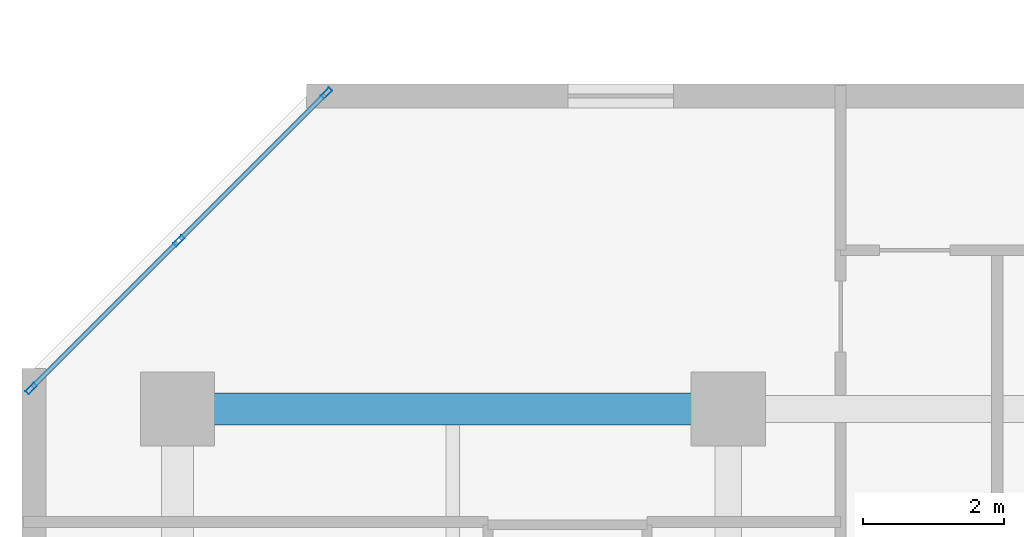
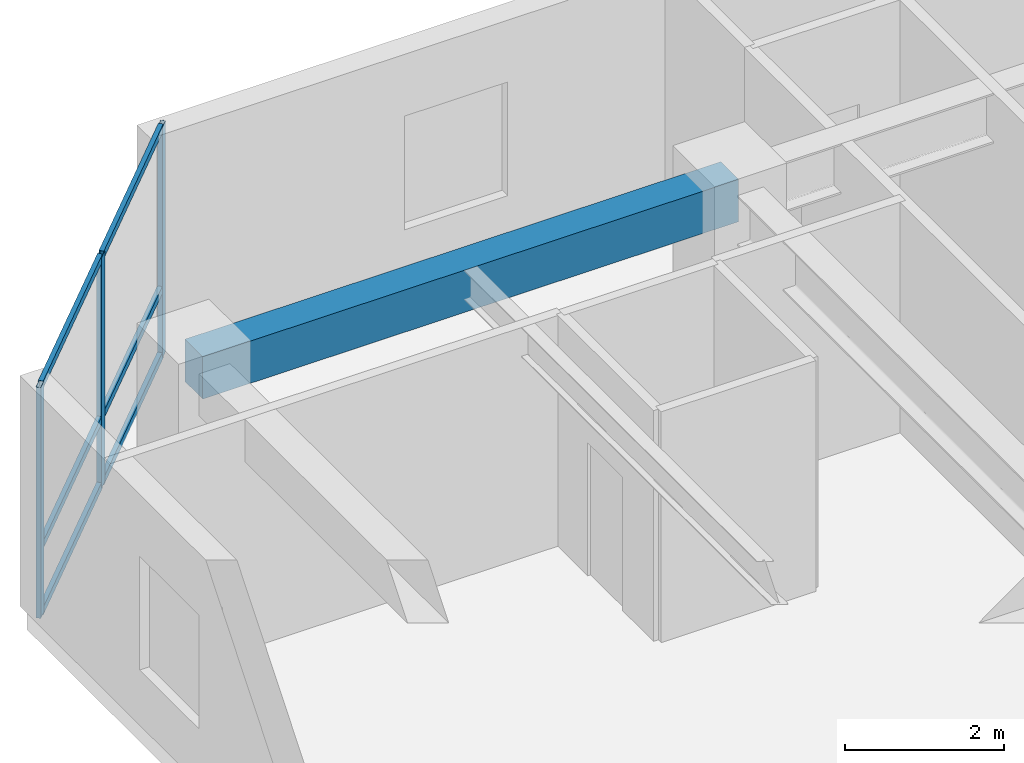
# One storey, part 3 of 11: 9 members, 1 beam, 1 element without a shape of its own.
"""IFC4 building model written with IfcOpenShell, lengths in metres."""

from ifc_helpers import new_model, si_unit, direction, frame, origin, origin_2d, place, context, subcontext, project, spatial, rectangle, hollow_rectangle, extrude, material, layer, layer_set, material_profile, profile_set, type_object, element, aggregate, save


model = new_model("IFC4")

# Units and contexts
model_context = context("Model", 3, precision=1e-05, world=origin(), true_north=direction((0.0, 1.0)))
body_context = subcontext(model_context, "Body", "Model", "MODEL_VIEW")
ifc_project = project(units=[si_unit("LENGTHUNIT", "METRE"), si_unit("AREAUNIT", "SQUARE_METRE"), si_unit("VOLUMEUNIT", "CUBIC_METRE"), si_unit("PLANEANGLEUNIT", "RADIAN"), si_unit("MASSUNIT", "GRAM", prefix="KILO")], contexts=[model_context])

# Site, building, storey
site_placement = place(None, origin())
site = spatial("IfcSite", under=ifc_project, at=site_placement, CompositionType="ELEMENT")
building_placement = place(site_placement, origin())
building = spatial("IfcBuilding", under=site, at=building_placement, Name="Kestravale Grand Hotel", CompositionType="ELEMENT")
storey_placement = place(building_placement, frame((0.0, 0.0, 161.199951171875)))
storey = spatial("IfcBuildingStorey", under=building, at=storey_placement, Name="L40", CompositionType="ELEMENT", Elevation=161.199951171875)

# Beam
ifc_material_1 = material(Name="Concrete f'c 45 MPa", Category="concrete")
ifc_material_profile_1 = material_profile(ifc_material_1, rectangle(XDim=0.449951171875, YDim=0.64990234375, at=origin_2d()))
ifc_profile_set_1 = profile_set([ifc_material_profile_1], Name="Concrete f'c 45 MPa")
beam_type = type_object("IfcBeamType", Name="B-FLR-RC650", PredefinedType="SPANDREL", material=ifc_profile_set_1)
beam_placement = place(storey_placement, frame((7.800048828125, 38.39990234375, 3.22509765625), z_axis=(1.0, 0.0, 0.0), x_axis=(0.0, 1.0, 0.0)))
element("IfcBeam", 1, at=beam_placement, inside=storey, type_object=beam_type, Name="L40 spandrel F:2-3", PredefinedType="SPANDREL", context=body_context, shape_type="SweptSolid", body=[
    extrude(rectangle(XDim=0.449951171875, YDim=0.64990234375, at=origin_2d()), origin(), (0.0, 0.0, 1.0), 7.800048828125),
])

# Curtain wall, members
ifc_material_2 = material(Name="Thermally broken champagne-bronze aluminium and low-E glazing", Category="aluminium")
ifc_layer = layer(ifc_material_2, 0.179931640625)
ifc_layer_set = layer_set([ifc_layer], Name="CW-Z3")
curtain_wall_type = type_object("IfcCurtainWallType", Name="CW-Z3", PredefinedType="NOTDEFINED", material=ifc_layer_set)
curtain_wall_placement = place(storey_placement, origin())
curtain_wall = element("IfcCurtainWall", 2, at=curtain_wall_placement, inside=storey, type_object=curtain_wall_type, Name="L40 unitised curtain wall 18", PredefinedType="NOTDEFINED")
ifc_material_3 = material(Name="Aluminium 6063-T6 anodised", Category="aluminium")
ifc_material_profile_2 = material_profile(ifc_material_3, hollow_rectangle(XDim=0.06494140625, YDim=0.1650390625, WallThickness=0.00341796875, at=origin_2d()))
ifc_profile_set_2 = profile_set([ifc_material_profile_2], Name="Aluminium 6063-T6 anodised")
member_type_1 = type_object("IfcMemberType", Name="CW-MUL-165", PredefinedType="MULLION", material=ifc_profile_set_2)
member_1_placement = place(storey_placement, frame((9.911376953125, 42.87109375, 0.0), z_axis=(0.0, 0.0, 1.0), x_axis=(0.707106781187, -0.707106781187, 0.0)))
member_1 = element("IfcMember", 3, at=member_1_placement, type_object=member_type_1, Name="CW-Z3 mullion 1", PredefinedType="MULLION", context=body_context, shape_type="SweptSolid", body=[
    extrude(hollow_rectangle(XDim=0.06494140625, YDim=0.1650390625, WallThickness=0.00341796875, at=origin_2d()), origin(), (0.0, 0.0, 1.0), 3.550048828125),
])
member_2_placement = place(storey_placement, frame((7.8203125, 40.77978515625, 0.0), z_axis=(0.0, 0.0, 1.0), x_axis=(0.707106781187, -0.707106781187, 0.0)))
member_2 = element("IfcMember", 4, at=member_2_placement, type_object=member_type_1, Name="CW-Z3 mullion 2", PredefinedType="MULLION", context=body_context, shape_type="SweptSolid", body=[
    extrude(hollow_rectangle(XDim=0.06494140625, YDim=0.1650390625, WallThickness=0.00341796875, at=origin_2d()), origin(), (0.0, 0.0, 1.0), 3.550048828125),
])
member_3_placement = place(storey_placement, frame((5.72900390625, 38.6884765625, 0.0), z_axis=(0.0, 0.0, 1.0), x_axis=(0.707106781187, -0.707106781187, 0.0)))
member_3 = element("IfcMember", 5, at=member_3_placement, type_object=member_type_1, Name="CW-Z3 mullion 3", PredefinedType="MULLION", context=body_context, shape_type="SweptSolid", body=[
    extrude(hollow_rectangle(XDim=0.06494140625, YDim=0.1650390625, WallThickness=0.00341796875, at=origin_2d()), origin(), (0.0, 0.0, 1.0), 3.550048828125),
])
ifc_material_4 = material(Name="Aluminium 6063-T6 anodised", Category="aluminium")
ifc_material_profile_3 = material_profile(ifc_material_4, hollow_rectangle(XDim=0.06494140625, YDim=0.114990234375, WallThickness=0.003173828125, at=origin_2d()))
ifc_profile_set_3 = profile_set([ifc_material_profile_3], Name="Aluminium 6063-T6 anodised")
member_type_2 = type_object("IfcMemberType", Name="CW-TRN-115", PredefinedType="USERDEFINED", material=ifc_profile_set_3)
member_4_placement = place(storey_placement, frame((9.888427734375, 42.84814453125, 0.032470703125), z_axis=(-0.707064577195, -0.707148982659, 0.0), x_axis=(0.707148982659, -0.707064577195, 0.0)))
member_4 = element("IfcMember", 6, at=member_4_placement, type_object=member_type_2, Name="CW-Z3 transom 1.1", ObjectType="TRANSOM", PredefinedType="USERDEFINED", context=body_context, shape_type="SweptSolid", body=[
    extrude(hollow_rectangle(XDim=0.06494140625, YDim=0.114990234375, WallThickness=0.003173828125, at=origin_2d()), origin(), (0.0, 0.0, 1.0), 2.892578125),
])
member_5_placement = place(storey_placement, frame((9.888427734375, 42.84814453125, 1.050048828125), z_axis=(-0.707064577195, -0.707148982659, 0.0), x_axis=(0.707148982659, -0.707064577195, 0.0)))
member_5 = element("IfcMember", 7, at=member_5_placement, type_object=member_type_2, Name="CW-Z3 transom 1.2", ObjectType="TRANSOM", PredefinedType="USERDEFINED", context=body_context, shape_type="SweptSolid", body=[
    extrude(hollow_rectangle(XDim=0.06494140625, YDim=0.114990234375, WallThickness=0.003173828125, at=origin_2d()), origin(), (0.0, 0.0, 1.0), 2.892578125),
])
member_6_placement = place(storey_placement, frame((9.888427734375, 42.84814453125, 3.517578125), z_axis=(-0.707064577195, -0.707148982659, 0.0), x_axis=(0.707148982659, -0.707064577195, 0.0)))
member_6 = element("IfcMember", 8, at=member_6_placement, type_object=member_type_2, Name="CW-Z3 transom 1.3", ObjectType="TRANSOM", PredefinedType="USERDEFINED", context=body_context, shape_type="SweptSolid", body=[
    extrude(hollow_rectangle(XDim=0.06494140625, YDim=0.114990234375, WallThickness=0.003173828125, at=origin_2d()), origin(), (0.0, 0.0, 1.0), 2.892578125),
])
member_7_placement = place(storey_placement, frame((7.797119140625, 40.7568359375, 0.032470703125), z_axis=(-0.707106781187, -0.707106781187, 0.0), x_axis=(0.707106781187, -0.707106781187, 0.0)))
member_7 = element("IfcMember", 9, at=member_7_placement, type_object=member_type_2, Name="CW-Z3 transom 2.1", ObjectType="TRANSOM", PredefinedType="USERDEFINED", context=body_context, shape_type="SweptSolid", body=[
    extrude(hollow_rectangle(XDim=0.06494140625, YDim=0.114990234375, WallThickness=0.003173828125, at=origin_2d()), origin(), (0.0, 0.0, 1.0), 2.892333984375),
])
member_8_placement = place(storey_placement, frame((7.797119140625, 40.7568359375, 1.050048828125), z_axis=(-0.707106781187, -0.707106781187, 0.0), x_axis=(0.707106781187, -0.707106781187, 0.0)))
member_8 = element("IfcMember", 10, at=member_8_placement, type_object=member_type_2, Name="CW-Z3 transom 2.2", ObjectType="TRANSOM", PredefinedType="USERDEFINED", context=body_context, shape_type="SweptSolid", body=[
    extrude(hollow_rectangle(XDim=0.06494140625, YDim=0.114990234375, WallThickness=0.003173828125, at=origin_2d()), origin(), (0.0, 0.0, 1.0), 2.892333984375),
])
member_9_placement = place(storey_placement, frame((7.797119140625, 40.7568359375, 3.517578125), z_axis=(-0.707106781187, -0.707106781187, 0.0), x_axis=(0.707106781187, -0.707106781187, 0.0)))
member_9 = element("IfcMember", 11, at=member_9_placement, type_object=member_type_2, Name="CW-Z3 transom 2.3", ObjectType="TRANSOM", PredefinedType="USERDEFINED", context=body_context, shape_type="SweptSolid", body=[
    extrude(hollow_rectangle(XDim=0.06494140625, YDim=0.114990234375, WallThickness=0.003173828125, at=origin_2d()), origin(), (0.0, 0.0, 1.0), 2.892333984375),
])
aggregate(curtain_wall, [member_1, member_2, member_3, member_4, member_5, member_6, member_7, member_8, member_9])

save(model, "model.ifc")
